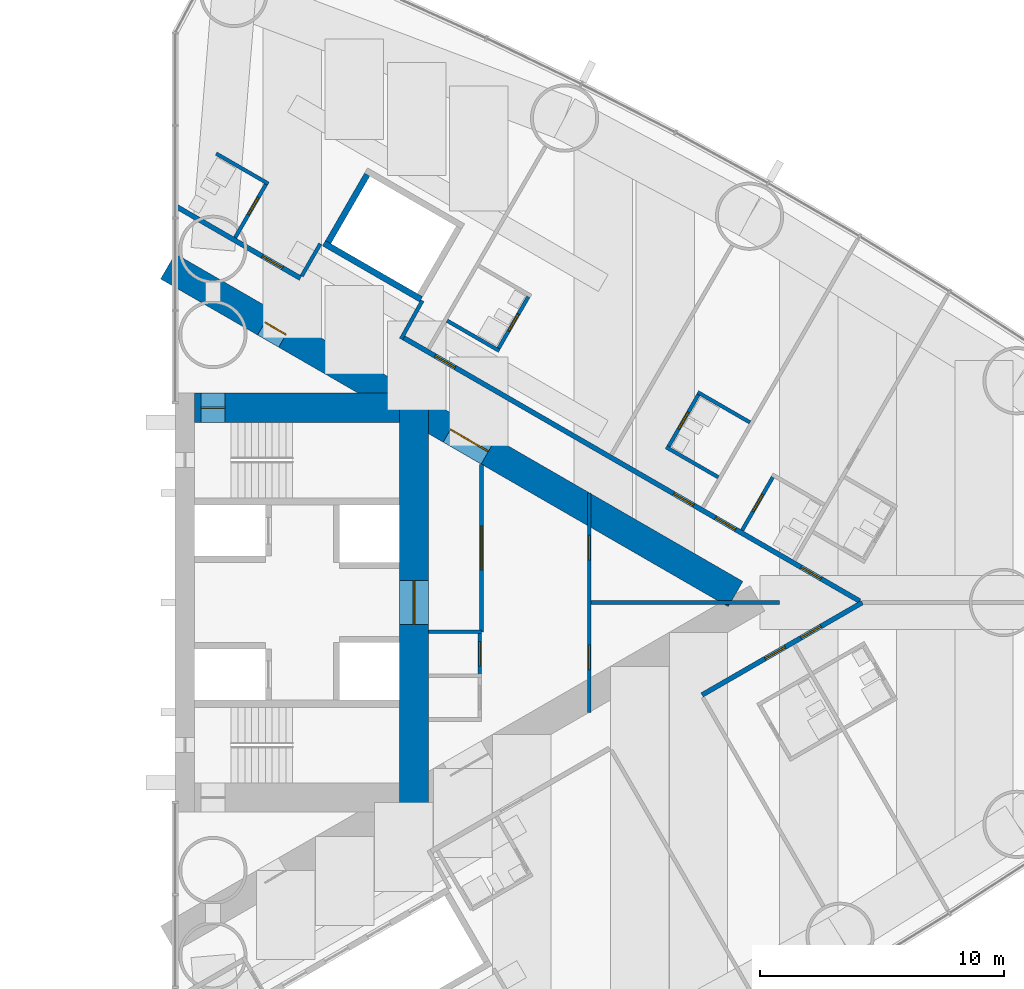
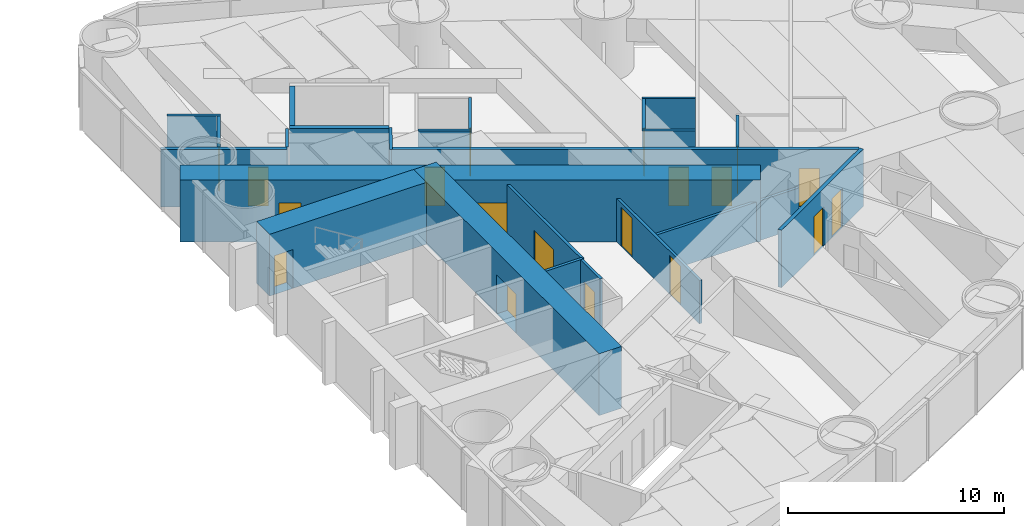
# One storey, part 15 of 19: 23 walls, 19 doors, 19 openings.
"""IFC4 building model written with IfcOpenShell, lengths in metres."""

from ifc_helpers import new_model, si_unit, direction, frame, frame_2d, origin, place, context, subcontext, project, spatial, rectangle, extrude, material, layer, layer_set, type_object, element, fill, save


model = new_model("IFC4")

# Units and contexts
model_context = context("Model", 3, precision=1e-05, world=origin(), true_north=direction((0.0, 1.0)))
body_context = subcontext(model_context, "Body", "Model", "MODEL_VIEW")
ifc_project = project(units=[si_unit("LENGTHUNIT", "METRE"), si_unit("AREAUNIT", "SQUARE_METRE"), si_unit("VOLUMEUNIT", "CUBIC_METRE"), si_unit("PLANEANGLEUNIT", "RADIAN"), si_unit("MASSUNIT", "GRAM", prefix="KILO")], contexts=[model_context])

# Site, building, storey
site_placement = place(None, origin())
site = spatial("IfcSite", under=ifc_project, at=site_placement, CompositionType="ELEMENT")
building_placement = place(site_placement, origin())
building = spatial("IfcBuilding", under=site, at=building_placement, Name="Lancet Gate Hotel", CompositionType="ELEMENT")
storey_placement = place(building_placement, frame((0.0, 0.0, 21.5)))
storey = spatial("IfcBuildingStorey", under=building, at=storey_placement, Name="L04", CompositionType="ELEMENT", Elevation=21.5)

# Wall, opening, door
ifc_material_1 = material(Name="Moisture resistant board partition")
ifc_layer_1 = layer(ifc_material_1, 0.14990234375)
ifc_layer_set_1 = layer_set([ifc_layer_1], Name="Bathroom wall 150")
wall_type_1 = type_object("IfcWallType", Name="Bathroom wall 150", PredefinedType="PARTITIONING", material=ifc_layer_set_1)
wall_1_placement = place(storey_placement, frame((50.771240234375, 2.96240234375, 0.0), z_axis=(0.0, 0.0, 1.0), x_axis=(0.500006934395, 0.866021400173, 0.0)))
wall_1 = element("IfcWall", 1, at=wall_1_placement, inside=storey, type_object=wall_type_1, Name="T2 bathroom wall 150 L04", PredefinedType="PARTITIONING", context=body_context, shape_type="SweptSolid", body=[
    extrude(rectangle(XDim=2.60009765625, YDim=0.14990234375, at=frame_2d((1.300048828125, 0.0))), origin(), (0.0, 0.0, 1.0), 3.25),
])
opening_1_placement = place(wall_1_placement, frame((0.89990234375, 0.0, 0.0)))
opening_1 = element("IfcOpeningElement", 2, at=opening_1_placement, cuts=wall_1, Name="Opening 0459-B", PredefinedType="OPENING", context=body_context, shape_type="SweptSolid", body=[
    extrude(rectangle(XDim=0.800048828125, YDim=2.199951171875, at=frame_2d((0.39990234375, 1.10009765625))), frame((0.0, 0.0849609375, 0.0), z_axis=(0.0, -1.0, 0.0), x_axis=(1.0, 0.0, 0.0)), (0.0, 0.0, 1.0), 0.169921875),
])
ifc_material_2 = material(Name="Timber door set", Category="wood")
door_type_1 = type_object("IfcDoorType", Name="Bathroom door 800", OperationType="SINGLE_SWING_RIGHT", PredefinedType="DOOR", material=ifc_material_2)
door_1_placement = place(opening_1_placement, origin())
door_1 = element("IfcDoor", 3, at=door_1_placement, inside=storey, type_object=door_type_1, Name="0459-B", OperationType="SINGLE_SWING_RIGHT", OverallHeight=2.199951171875, OverallWidth=0.800048828125, PredefinedType="DOOR", context=body_context, shape_type="SweptSolid", body=[
    extrude(rectangle(XDim=0.800048828125, YDim=2.199951171875, at=frame_2d((0.39990234375, 1.10009765625))), frame((0.0, 0.02490234375, 0.0), z_axis=(0.0, -1.0, 0.0), x_axis=(1.0, 0.0, 0.0)), (0.0, 0.0, 1.0), 0.050048828125),
])
fill(opening_1, door_1)

# Wall
wall_2_placement = place(storey_placement, frame((48.951171875, 8.632080078125, 0.0), z_axis=(0.0, 0.0, 1.0), x_axis=(0.866006523861, -0.500032699561, 0.0)))
element("IfcWall", 4, at=wall_2_placement, inside=storey, type_object=wall_type_1, Name="T2 bathroom wall 150 L04", PredefinedType="PARTITIONING", context=body_context, shape_type="SweptSolid", body=[
    extrude(rectangle(XDim=2.474853515625, YDim=0.14990234375, at=frame_2d((1.2373046875, 0.0))), origin(), (0.0, 0.0, 1.0), 3.25),
])

# Wall, opening, door
wall_3_placement = place(storey_placement, frame((47.716064453125, 6.3427734375, 0.0), z_axis=(0.0, 0.0, 1.0), x_axis=(0.500006934395, 0.866021400173, 0.0)))
wall_3 = element("IfcWall", 5, at=wall_3_placement, inside=storey, type_object=wall_type_1, Name="T2 bathroom wall 150 L04", PredefinedType="PARTITIONING", context=body_context, shape_type="SweptSolid", body=[
    extrude(rectangle(XDim=2.60009765625, YDim=0.14990234375, at=frame_2d((1.300048828125, 0.0))), origin(), (0.0, 0.0, 1.0), 3.25),
])
opening_2_placement = place(wall_3_placement, frame((0.89990234375, 0.0, 0.0)))
opening_2 = element("IfcOpeningElement", 6, at=opening_2_placement, cuts=wall_3, Name="Opening 0460-B", PredefinedType="OPENING", context=body_context, shape_type="SweptSolid", body=[
    extrude(rectangle(XDim=0.800048828125, YDim=2.199951171875, at=frame_2d((0.39990234375, 1.10009765625))), frame((0.0, 0.0849609375, 0.0), z_axis=(0.0, -1.0, 0.0), x_axis=(1.0, 0.0, 0.0)), (0.0, 0.0, 1.0), 0.169921875),
])
door_2_placement = place(opening_2_placement, origin())
door_2 = element("IfcDoor", 7, at=door_2_placement, inside=storey, type_object=door_type_1, Name="0460-B", OperationType="SINGLE_SWING_RIGHT", OverallHeight=2.199951171875, OverallWidth=0.800048828125, PredefinedType="DOOR", context=body_context, shape_type="SweptSolid", body=[
    extrude(rectangle(XDim=0.800048828125, YDim=2.199951171875, at=frame_2d((0.39990234375, 1.10009765625))), frame((0.0, 0.02490234375, 0.0), z_axis=(0.0, -1.0, 0.0), x_axis=(1.0, 0.0, 0.0)), (0.0, 0.0, 1.0), 0.050048828125),
])
fill(opening_2, door_2)

# Wall
wall_4_placement = place(storey_placement, frame((47.651123046875, 6.38037109375, 0.0), z_axis=(0.0, 0.0, 1.0), x_axis=(0.866031185235, -0.4999899861, 0.0)))
element("IfcWall", 8, at=wall_4_placement, inside=storey, type_object=wall_type_1, Name="T2 bathroom wall 150 L04", PredefinedType="PARTITIONING", context=body_context, shape_type="SweptSolid", body=[
    extrude(rectangle(XDim=2.47509765625, YDim=0.14990234375, at=frame_2d((1.237548828125, 0.0))), origin(), (0.0, 0.0, 1.0), 3.25),
])

# Wall, opening, door
wall_5_placement = place(storey_placement, frame((40.738525390625, 10.371337890625, 0.0), z_axis=(0.0, 0.0, 1.0), x_axis=(0.500006934395, 0.866021400173, 0.0)))
wall_5 = element("IfcWall", 9, at=wall_5_placement, inside=storey, type_object=wall_type_1, Name="T2 bathroom wall 150 L04", PredefinedType="PARTITIONING", context=body_context, shape_type="SweptSolid", body=[
    extrude(rectangle(XDim=2.60009765625, YDim=0.14990234375, at=frame_2d((1.300048828125, 0.0))), origin(), (0.0, 0.0, 1.0), 3.25),
])
opening_3_placement = place(wall_5_placement, frame((0.89990234375, 0.0, 0.0)))
opening_3 = element("IfcOpeningElement", 10, at=opening_3_placement, cuts=wall_5, Name="Opening 0461-B", PredefinedType="OPENING", context=body_context, shape_type="SweptSolid", body=[
    extrude(rectangle(XDim=0.800048828125, YDim=2.199951171875, at=frame_2d((0.39990234375, 1.10009765625))), frame((0.0, 0.0849609375, 0.0), z_axis=(0.0, -1.0, 0.0), x_axis=(1.0, 0.0, 0.0)), (0.0, 0.0, 1.0), 0.169921875),
])
door_3_placement = place(opening_3_placement, origin())
door_3 = element("IfcDoor", 11, at=door_3_placement, inside=storey, type_object=door_type_1, Name="0461-B", OperationType="SINGLE_SWING_RIGHT", OverallHeight=2.199951171875, OverallWidth=0.800048828125, PredefinedType="DOOR", context=body_context, shape_type="SweptSolid", body=[
    extrude(rectangle(XDim=0.800048828125, YDim=2.199951171875, at=frame_2d((0.39990234375, 1.10009765625))), frame((0.0, 0.02490234375, 0.0), z_axis=(0.0, -1.0, 0.0), x_axis=(1.0, 0.0, 0.0)), (0.0, 0.0, 1.0), 0.050048828125),
])
fill(opening_3, door_3)

# Walls
for number, where, z_axis, x_axis, name in (
    (12, (38.66015625, 11.5712890625, 0.0), (0.0, 0.0, 1.0), (0.866006523861, -0.500032699561, 0.0), "T2 bathroom wall 150 L04"),
    (13, (29.181884765625, 18.42919921875, 0.0), (0.0, 0.0, 1.0), (0.866006523861, -0.500032699561, 0.0), "T2 bathroom wall 150 L04"),
):
    element("IfcWall", number, at=place(storey_placement, frame(where, z_axis=z_axis, x_axis=x_axis)), inside=storey, type_object=wall_type_1, Name=name, PredefinedType="PARTITIONING", context=body_context, shape_type="SweptSolid", body=[
        extrude(rectangle(XDim=2.474853515625, YDim=0.14990234375, at=frame_2d((1.2373046875, 0.0))), origin(), (0.0, 0.0, 1.0), 3.25),
    ])

# Wall, opening, door
wall_6_placement = place(storey_placement, frame((29.960205078125, 14.9775390625, 0.0), z_axis=(0.0, 0.0, 1.0), x_axis=(0.500006934395, 0.866021400173, 0.0)))
wall_6 = element("IfcWall", 14, at=wall_6_placement, inside=storey, type_object=wall_type_1, Name="T2 bathroom wall 150 L04", PredefinedType="PARTITIONING", context=body_context, shape_type="SweptSolid", body=[
    extrude(rectangle(XDim=2.60009765625, YDim=0.14990234375, at=frame_2d((1.300048828125, 0.0))), origin(), (0.0, 0.0, 1.0), 3.25),
])
opening_4_placement = place(wall_6_placement, frame((1.10009765625, 0.0, 0.0)))
opening_4 = element("IfcOpeningElement", 15, at=opening_4_placement, cuts=wall_6, Name="Opening 0463-B", PredefinedType="OPENING", context=body_context, shape_type="SweptSolid", body=[
    extrude(rectangle(XDim=0.800048828125, YDim=2.199951171875, at=frame_2d((0.39990234375, 1.10009765625))), frame((0.0, 0.0849609375, 0.0), z_axis=(0.0, -1.0, 0.0), x_axis=(1.0, 0.0, 0.0)), (0.0, 0.0, 1.0), 0.169921875),
])
door_4_placement = place(opening_4_placement, origin())
door_4 = element("IfcDoor", 16, at=door_4_placement, inside=storey, type_object=door_type_1, Name="0463-B", OperationType="SINGLE_SWING_RIGHT", OverallHeight=2.199951171875, OverallWidth=0.800048828125, PredefinedType="DOOR", context=body_context, shape_type="SweptSolid", body=[
    extrude(rectangle(XDim=0.800048828125, YDim=2.199951171875, at=frame_2d((0.39990234375, 1.10009765625))), frame((0.0, 0.02490234375, 0.0), z_axis=(0.0, -1.0, 0.0), x_axis=(1.0, 0.0, 0.0)), (0.0, 0.0, 1.0), 0.050048828125),
])
fill(opening_4, door_4)

# Wall, openings, doors
ifc_material_3 = material(Name="Concrete C70/85", Category="concrete")
ifc_layer_2 = layer(ifc_material_3, 1.199951171875)
ifc_layer_set_2 = layer_set([ifc_layer_2], Name="Buttress wall 1200")
wall_type_2 = type_object("IfcWallType", Name="Buttress wall 1200", PredefinedType="SHEAR", material=ifc_layer_set_2)
wall_7_placement = place(storey_placement, frame((27.199951171875, 13.800048828125, 0.0), z_axis=(0.0, 0.0, 1.0), x_axis=(0.866024515034, -0.500001539357, 0.0)))
wall_7 = element("IfcWall", 17, at=wall_7_placement, inside=storey, type_object=wall_type_2, Name="T2 buttress wall N L04", PredefinedType="SHEAR", context=body_context, shape_type="SweptSolid", body=[
    extrude(rectangle(XDim=26.9072265625, YDim=1.199951171875, at=frame_2d((13.45361328125, 0.0))), origin(), (0.0, 0.0, 1.0), 3.5),
])
opening_5_placement = place(wall_7_placement, frame((4.60009765625, 0.0, 0.0)))
opening_5 = element("IfcOpeningElement", 18, at=opening_5_placement, cuts=wall_7, Name="Opening T2-L04-LN", PredefinedType="OPENING", context=body_context, shape_type="SweptSolid", body=[
    extrude(rectangle(XDim=1.0, YDim=2.199951171875, at=frame_2d((0.5, 1.10009765625))), frame((0.0, 0.60986328125, 0.0), z_axis=(0.0, -1.0, 0.0), x_axis=(1.0, 0.0, 0.0)), (0.0, 0.0, 1.0), 1.219970703125),
])
opening_6_placement = place(wall_7_placement, frame((13.39453125, 0.0, 0.0)))
opening_6 = element("IfcOpeningElement", 19, at=opening_6_placement, cuts=wall_7, Name="Opening T2-L04-LHN", PredefinedType="OPENING", context=body_context, shape_type="SweptSolid", body=[
    extrude(rectangle(XDim=1.800048828125, YDim=2.199951171875, at=frame_2d((0.89990234375, 1.10009765625))), frame((0.0, 0.60986328125, 0.0), z_axis=(0.0, -1.0, 0.0), x_axis=(1.0, 0.0, 0.0)), (0.0, 0.0, 1.0), 1.219970703125),
])
ifc_material_4 = material(Name="Timber door set", Category="wood")
door_type_2 = type_object("IfcDoorType", Name="Lobby double door 1800", OperationType="DOUBLE_DOOR_SINGLE_SWING", PredefinedType="DOOR", material=ifc_material_4)
door_5_placement = place(opening_6_placement, origin())
door_5 = element("IfcDoor", 20, at=door_5_placement, inside=storey, type_object=door_type_2, Name="T2-L04-LHN", OperationType="DOUBLE_DOOR_SINGLE_SWING", OverallHeight=2.199951171875, OverallWidth=1.800048828125, PredefinedType="DOOR", context=body_context, shape_type="SweptSolid", body=[
    extrude(rectangle(XDim=1.800048828125, YDim=2.199951171875, at=frame_2d((0.89990234375, 1.10009765625))), frame((0.0, 0.02490234375, 0.0), z_axis=(0.0, -1.0, 0.0), x_axis=(1.0, 0.0, 0.0)), (0.0, 0.0, 1.0), 0.050048828125),
])
fill(opening_6, door_5)
ifc_material_5 = material(Name="Timber door set", Category="wood")
door_type_3 = type_object("IfcDoorType", Name="Stair lobby door 1000", OperationType="SINGLE_SWING_LEFT", PredefinedType="DOOR", material=ifc_material_5)
door_6_placement = place(opening_5_placement, origin())
door_6 = element("IfcDoor", 21, at=door_6_placement, inside=storey, type_object=door_type_3, Name="T2-L04-LN", OperationType="SINGLE_SWING_LEFT", OverallHeight=2.199951171875, OverallWidth=1.0, PredefinedType="DOOR", context=body_context, shape_type="SweptSolid", body=[
    extrude(rectangle(XDim=1.0, YDim=2.199951171875, at=frame_2d((0.5, 1.10009765625))), frame((0.0, 0.02490234375, 0.0), z_axis=(0.0, -1.0, 0.0), x_axis=(1.0, 0.0, 0.0)), (0.0, 0.0, 1.0), 0.050048828125),
])
fill(opening_5, door_6)

# Wall, opening, door
ifc_material_6 = material(Name="Concrete C70/85", Category="concrete")
ifc_layer_3 = layer(ifc_material_6, 1.199951171875)
ifc_layer_set_3 = layer_set([ifc_layer_3], Name="Core wall 1200")
wall_type_3 = type_object("IfcWallType", Name="Core wall 1200", PredefinedType="SHEAR", material=ifc_layer_set_3)
wall_8_placement = place(storey_placement, frame((37.300048828125, -8.60009765625, 0.0), z_axis=(0.0, 0.0, 1.0), x_axis=(0.0, 1.0, 0.0)))
wall_8 = element("IfcWall", 22, at=wall_8_placement, inside=storey, type_object=wall_type_3, Name="T2 core wall back L04", PredefinedType="SHEAR", context=body_context, shape_type="SweptSolid", body=[
    extrude(rectangle(XDim=17.2001953125, YDim=1.199951171875, at=frame_2d((8.60009765625, 0.0))), origin(), (0.0, 0.0, 1.0), 3.5),
])
opening_7_placement = place(wall_8_placement, frame((7.699951171875, 0.0, 0.0)))
opening_7 = element("IfcOpeningElement", 23, at=opening_7_placement, cuts=wall_8, Name="Opening T2-L04-LL", PredefinedType="OPENING", context=body_context, shape_type="SweptSolid", body=[
    extrude(rectangle(XDim=1.800048828125, YDim=2.199951171875, at=frame_2d((0.89990234375, 1.10009765625))), frame((0.0, 0.60986328125, 0.0), z_axis=(0.0, -1.0, 0.0), x_axis=(1.0, 0.0, 0.0)), (0.0, 0.0, 1.0), 1.219970703125),
])
door_7_placement = place(opening_7_placement, origin())
door_7 = element("IfcDoor", 24, at=door_7_placement, inside=storey, type_object=door_type_2, Name="T2-L04-LL", OperationType="DOUBLE_DOOR_SINGLE_SWING", OverallHeight=2.199951171875, OverallWidth=1.800048828125, PredefinedType="DOOR", context=body_context, shape_type="SweptSolid", body=[
    extrude(rectangle(XDim=1.800048828125, YDim=2.199951171875, at=frame_2d((0.89990234375, 1.10009765625))), frame((0.0, 0.02490234375, 0.0), z_axis=(0.0, -1.0, 0.0), x_axis=(1.0, 0.0, 0.0)), (0.0, 0.0, 1.0), 0.050048828125),
])
fill(opening_7, door_7)

wall_9_placement = place(storey_placement, frame((28.300048828125, 8.0, 0.0), z_axis=(0.0, 0.0, 1.0), x_axis=(1.0, 0.0, 0.0)))
wall_9 = element("IfcWall", 25, at=wall_9_placement, inside=storey, type_object=wall_type_3, Name="T2 core wall side-N L04", PredefinedType="SHEAR", context=body_context, shape_type="SweptSolid", body=[
    extrude(rectangle(XDim=8.39990234375, YDim=1.199951171875, at=frame_2d((4.199951171875, 0.0))), origin(), (0.0, 0.0, 1.0), 3.5),
])
opening_8_placement = place(wall_9_placement, frame((0.25, 0.0, 0.0)))
opening_8 = element("IfcOpeningElement", 26, at=opening_8_placement, cuts=wall_9, Name="Opening T2-L04-ST2", PredefinedType="OPENING", context=body_context, shape_type="SweptSolid", body=[
    extrude(rectangle(XDim=1.0, YDim=2.199951171875, at=frame_2d((0.5, 1.10009765625))), frame((0.0, 0.60986328125, 0.0), z_axis=(0.0, -1.0, 0.0), x_axis=(1.0, 0.0, 0.0)), (0.0, 0.0, 1.0), 1.219970703125),
])
ifc_material_7 = material(Name="Timber door set", Category="wood")
door_type_4 = type_object("IfcDoorType", Name="Stair door 1000", OperationType="SINGLE_SWING_RIGHT", PredefinedType="DOOR", material=ifc_material_7)
door_8_placement = place(opening_8_placement, origin())
door_8 = element("IfcDoor", 27, at=door_8_placement, inside=storey, type_object=door_type_4, Name="T2-L04-ST2", OperationType="SINGLE_SWING_RIGHT", OverallHeight=2.199951171875, OverallWidth=1.0, PredefinedType="DOOR", context=body_context, shape_type="SweptSolid", body=[
    extrude(rectangle(XDim=1.0, YDim=2.199951171875, at=frame_2d((0.5, 1.10009765625))), frame((0.0, 0.02490234375, 0.0), z_axis=(0.0, -1.0, 0.0), x_axis=(1.0, 0.0, 0.0)), (0.0, 0.0, 1.0), 0.050048828125),
])
fill(opening_8, door_8)

ifc_material_8 = material(Name="Gypsum board partition")
ifc_layer_4 = layer(ifc_material_8, 0.199951171875)
ifc_layer_set_4 = layer_set([ifc_layer_4], Name="Corridor wall 200")
wall_type_4 = type_object("IfcWallType", Name="Corridor wall 200", PredefinedType="PARTITIONING", material=ifc_layer_set_4)
wall_10_placement = place(storey_placement, frame((27.572021484375, 16.240966796875, 0.0), z_axis=(0.0, 0.0, 1.0), x_axis=(0.866032814021, -0.499987164874, 0.0)))
wall_10 = element("IfcWall", 28, at=wall_10_placement, inside=storey, type_object=wall_type_4, Name="T2 corridor wall 200 L04", PredefinedType="PARTITIONING", context=body_context, shape_type="SweptSolid", body=[
    extrude(rectangle(XDim=5.854736328125, YDim=0.199951171875, at=frame_2d((2.92724609375, 0.0))), origin(), (0.0, 0.0, 1.0), 3.25),
])
opening_9_placement = place(wall_10_placement, frame((4.050048828125, 0.0, 0.0)))
opening_9 = element("IfcOpeningElement", 29, at=opening_9_placement, cuts=wall_10, Name="Opening 0463-E", PredefinedType="OPENING", context=body_context, shape_type="SweptSolid", body=[
    extrude(rectangle(XDim=0.949951171875, YDim=2.199951171875, at=frame_2d((0.47509765625, 1.10009765625))), frame((0.0, 0.10986328125, 0.0), z_axis=(0.0, -1.0, 0.0), x_axis=(1.0, 0.0, 0.0)), (0.0, 0.0, 1.0), 0.219970703125),
])
ifc_material_9 = material(Name="Timber door set", Category="wood")
door_type_5 = type_object("IfcDoorType", Name="Guest room entry door 950", OperationType="SINGLE_SWING_LEFT", PredefinedType="DOOR", material=ifc_material_9)
door_9_placement = place(opening_9_placement, origin())
door_9 = element("IfcDoor", 30, at=door_9_placement, inside=storey, type_object=door_type_5, Name="0463-E", OperationType="SINGLE_SWING_LEFT", OverallHeight=2.199951171875, OverallWidth=0.949951171875, PredefinedType="DOOR", context=body_context, shape_type="SweptSolid", body=[
    extrude(rectangle(XDim=0.949951171875, YDim=2.199951171875, at=frame_2d((0.47509765625, 1.10009765625))), frame((0.0, 0.02490234375, 0.0), z_axis=(0.0, -1.0, 0.0), x_axis=(1.0, 0.0, 0.0)), (0.0, 0.0, 1.0), 0.050048828125),
])
fill(opening_9, door_9)

# Wall, openings, doors
wall_11_placement = place(storey_placement, frame((36.833984375, 10.8935546875, 0.0), z_axis=(0.0, 0.0, 1.0), x_axis=(0.866028157229, -0.499995230863, 0.0)))
wall_11 = element("IfcWall", 31, at=wall_11_placement, inside=storey, type_object=wall_type_4, Name="T2 corridor wall 200 L04", PredefinedType="PARTITIONING", context=body_context, shape_type="SweptSolid", body=[
    extrude(rectangle(XDim=21.667236328125, YDim=0.199951171875, at=frame_2d((10.83349609375, 0.0))), origin(), (0.0, 0.0, 1.0), 3.25),
])
opening_10_placement = place(wall_11_placement, frame((18.885498046875, 0.0, 0.0)))
opening_10 = element("IfcOpeningElement", 32, at=opening_10_placement, cuts=wall_11, Name="Opening 0458-E", PredefinedType="OPENING", context=body_context, shape_type="SweptSolid", body=[
    extrude(rectangle(XDim=0.949951171875, YDim=2.199951171875, at=frame_2d((0.47509765625, 1.10009765625))), frame((0.0, 0.10986328125, 0.0), z_axis=(0.0, -1.0, 0.0), x_axis=(1.0, 0.0, 0.0)), (0.0, 0.0, 1.0), 0.219970703125),
])
opening_11_placement = place(wall_11_placement, frame((14.83544921875, 0.0, 0.0)))
opening_11 = element("IfcOpeningElement", 33, at=opening_11_placement, cuts=wall_11, Name="Opening 0459-E", PredefinedType="OPENING", context=body_context, shape_type="SweptSolid", body=[
    extrude(rectangle(XDim=0.949951171875, YDim=2.199951171875, at=frame_2d((0.47509765625, 1.10009765625))), frame((0.0, 0.10986328125, 0.0), z_axis=(0.0, -1.0, 0.0), x_axis=(1.0, 0.0, 0.0)), (0.0, 0.0, 1.0), 0.219970703125),
])
opening_12_placement = place(wall_11_placement, frame((12.849609375, 0.0, 0.0)))
opening_12 = element("IfcOpeningElement", 34, at=opening_12_placement, cuts=wall_11, Name="Opening 0460-E", PredefinedType="OPENING", context=body_context, shape_type="SweptSolid", body=[
    extrude(rectangle(XDim=0.949951171875, YDim=2.199951171875, at=frame_2d((0.47509765625, 1.10009765625))), frame((0.0, 0.10986328125, 0.0), z_axis=(0.0, -1.0, 0.0), x_axis=(1.0, 0.0, 0.0)), (0.0, 0.0, 1.0), 0.219970703125),
])
opening_13_placement = place(wall_11_placement, frame((1.54248046875, 0.0, 0.0)))
opening_13 = element("IfcOpeningElement", 35, at=opening_13_placement, cuts=wall_11, Name="Opening 0461-E", PredefinedType="OPENING", context=body_context, shape_type="SweptSolid", body=[
    extrude(rectangle(XDim=0.949951171875, YDim=2.199951171875, at=frame_2d((0.47509765625, 1.10009765625))), frame((0.0, 0.10986328125, 0.0), z_axis=(0.0, -1.0, 0.0), x_axis=(1.0, 0.0, 0.0)), (0.0, 0.0, 1.0), 0.219970703125),
])
door_10_placement = place(opening_10_placement, origin())
door_10 = element("IfcDoor", 36, at=door_10_placement, inside=storey, type_object=door_type_5, Name="0458-E", OperationType="SINGLE_SWING_LEFT", OverallHeight=2.199951171875, OverallWidth=0.949951171875, PredefinedType="DOOR", context=body_context, shape_type="SweptSolid", body=[
    extrude(rectangle(XDim=0.949951171875, YDim=2.199951171875, at=frame_2d((0.47509765625, 1.10009765625))), frame((0.0, 0.02490234375, 0.0), z_axis=(0.0, -1.0, 0.0), x_axis=(1.0, 0.0, 0.0)), (0.0, 0.0, 1.0), 0.050048828125),
])
fill(opening_10, door_10)
door_11_placement = place(opening_11_placement, origin())
door_11 = element("IfcDoor", 37, at=door_11_placement, inside=storey, type_object=door_type_5, Name="0459-E", OperationType="SINGLE_SWING_LEFT", OverallHeight=2.199951171875, OverallWidth=0.949951171875, PredefinedType="DOOR", context=body_context, shape_type="SweptSolid", body=[
    extrude(rectangle(XDim=0.949951171875, YDim=2.199951171875, at=frame_2d((0.47509765625, 1.10009765625))), frame((0.0, 0.02490234375, 0.0), z_axis=(0.0, -1.0, 0.0), x_axis=(1.0, 0.0, 0.0)), (0.0, 0.0, 1.0), 0.050048828125),
])
fill(opening_11, door_11)
door_12_placement = place(opening_12_placement, origin())
door_12 = element("IfcDoor", 38, at=door_12_placement, inside=storey, type_object=door_type_5, Name="0460-E", OperationType="SINGLE_SWING_LEFT", OverallHeight=2.199951171875, OverallWidth=0.949951171875, PredefinedType="DOOR", context=body_context, shape_type="SweptSolid", body=[
    extrude(rectangle(XDim=0.949951171875, YDim=2.199951171875, at=frame_2d((0.47509765625, 1.10009765625))), frame((0.0, 0.02490234375, 0.0), z_axis=(0.0, -1.0, 0.0), x_axis=(1.0, 0.0, 0.0)), (0.0, 0.0, 1.0), 0.050048828125),
])
fill(opening_12, door_12)
door_13_placement = place(opening_13_placement, origin())
door_13 = element("IfcDoor", 39, at=door_13_placement, inside=storey, type_object=door_type_5, Name="0461-E", OperationType="SINGLE_SWING_LEFT", OverallHeight=2.199951171875, OverallWidth=0.949951171875, PredefinedType="DOOR", context=body_context, shape_type="SweptSolid", body=[
    extrude(rectangle(XDim=0.949951171875, YDim=2.199951171875, at=frame_2d((0.47509765625, 1.10009765625))), frame((0.0, 0.02490234375, 0.0), z_axis=(0.0, -1.0, 0.0), x_axis=(1.0, 0.0, 0.0)), (0.0, 0.0, 1.0), 0.050048828125),
])
fill(opening_13, door_13)

wall_12_placement = place(storey_placement, frame((49.131103515625, -3.793701171875, 0.0), z_axis=(0.0, 0.0, 1.0), x_axis=(0.866030732979, 0.499990769451, 0.0)))
wall_12 = element("IfcWall", 40, at=wall_12_placement, inside=storey, type_object=wall_type_4, Name="T2 corridor wall 200 L04", PredefinedType="PARTITIONING", context=body_context, shape_type="SweptSolid", body=[
    extrude(rectangle(XDim=7.587646484375, YDim=0.199951171875, at=frame_2d((3.7939453125, 0.0))), origin(), (0.0, 0.0, 1.0), 3.25),
])
opening_14_placement = place(wall_12_placement, frame((2.986083984375, 0.0, 0.0)))
opening_14 = element("IfcOpeningElement", 41, at=opening_14_placement, cuts=wall_12, Name="Opening 0456-E", PredefinedType="OPENING", context=body_context, shape_type="SweptSolid", body=[
    extrude(rectangle(XDim=0.949951171875, YDim=2.199951171875, at=frame_2d((0.47509765625, 1.10009765625))), frame((0.0, 0.10986328125, 0.0), z_axis=(0.0, -1.0, 0.0), x_axis=(1.0, 0.0, 0.0)), (0.0, 0.0, 1.0), 0.219970703125),
])
opening_15_placement = place(wall_12_placement, frame((4.68603515625, 0.0, 0.0)))
opening_15 = element("IfcOpeningElement", 42, at=opening_15_placement, cuts=wall_12, Name="Opening 0457-E", PredefinedType="OPENING", context=body_context, shape_type="SweptSolid", body=[
    extrude(rectangle(XDim=0.949951171875, YDim=2.199951171875, at=frame_2d((0.47509765625, 1.10009765625))), frame((0.0, 0.10986328125, 0.0), z_axis=(0.0, -1.0, 0.0), x_axis=(1.0, 0.0, 0.0)), (0.0, 0.0, 1.0), 0.219970703125),
])
door_14_placement = place(opening_14_placement, origin())
door_14 = element("IfcDoor", 43, at=door_14_placement, inside=storey, type_object=door_type_5, Name="0456-E", OperationType="SINGLE_SWING_LEFT", OverallHeight=2.199951171875, OverallWidth=0.949951171875, PredefinedType="DOOR", context=body_context, shape_type="SweptSolid", body=[
    extrude(rectangle(XDim=0.949951171875, YDim=2.199951171875, at=frame_2d((0.47509765625, 1.10009765625))), frame((0.0, 0.02490234375, 0.0), z_axis=(0.0, -1.0, 0.0), x_axis=(1.0, 0.0, 0.0)), (0.0, 0.0, 1.0), 0.050048828125),
])
fill(opening_14, door_14)
door_15_placement = place(opening_15_placement, origin())
door_15 = element("IfcDoor", 44, at=door_15_placement, inside=storey, type_object=door_type_5, Name="0457-E", OperationType="SINGLE_SWING_LEFT", OverallHeight=2.199951171875, OverallWidth=0.949951171875, PredefinedType="DOOR", context=body_context, shape_type="SweptSolid", body=[
    extrude(rectangle(XDim=0.949951171875, YDim=2.199951171875, at=frame_2d((0.47509765625, 1.10009765625))), frame((0.0, 0.02490234375, 0.0), z_axis=(0.0, -1.0, 0.0), x_axis=(1.0, 0.0, 0.0)), (0.0, 0.0, 1.0), 0.050048828125),
])
fill(opening_15, door_15)

# Walls
ifc_material_10 = material(Name="Gypsum board partition")
ifc_layer_5 = layer(ifc_material_10, 0.25)
ifc_layer_set_5 = layer_set([ifc_layer_5], Name="Lift shaft partition 250")
wall_type_5 = type_object("IfcWallType", Name="Lift shaft partition 250", PredefinedType="PARTITIONING", material=ifc_layer_set_5)
wall_13_placement = place(storey_placement, frame((33.6083984375, 14.747314453125, 0.0), z_axis=(0.0, 0.0, 1.0), x_axis=(0.866043305498, -0.49996899204, 0.0)))
element("IfcWall", 45, at=wall_13_placement, inside=storey, type_object=wall_type_5, Name="T2 lift shaft wall EX L04", PredefinedType="PARTITIONING", context=body_context, shape_type="SweptSolid", body=[
    extrude(rectangle(XDim=4.600341796875, YDim=0.25, at=frame_2d((2.30029296875, 0.0))), origin(), (0.0, 0.0, 1.0), 3.25),
])
wall_14_placement = place(storey_placement, frame((33.779296875, 14.79296875, 0.0), z_axis=(0.0, 0.0, 1.0), x_axis=(0.499929347863, 0.866066190972, 0.0)))
element("IfcWall", 46, at=wall_14_placement, inside=storey, type_object=wall_type_5, Name="T2 lift shaft wall EX L04", PredefinedType="PARTITIONING", context=body_context, shape_type="SweptSolid", body=[
    extrude(rectangle(XDim=3.20068359375, YDim=0.25, at=frame_2d((1.600341796875, 0.0))), origin(), (0.0, 0.0, 1.0), 3.25),
])
ifc_material_11 = material(Name="Gypsum board partition")
ifc_layer_6 = layer(ifc_material_11, 0.14990234375)
ifc_layer_set_6 = layer_set([ifc_layer_6], Name="Service room wall 150")
wall_type_6 = type_object("IfcWallType", Name="Service room wall 150", PredefinedType="PARTITIONING", material=ifc_layer_set_6)
wall_15_placement = place(storey_placement, frame((36.77099609375, 10.814453125, 0.0), z_axis=(0.0, 0.0, 1.0), x_axis=(0.485585508183, 0.874189175317, 0.0)))
element("IfcWall", 47, at=wall_15_placement, inside=storey, type_object=wall_type_6, Name="T2 service room wall 150 L04", PredefinedType="PARTITIONING", context=body_context, shape_type="SweptSolid", body=[
    extrude(rectangle(XDim=1.804931640625, YDim=0.14990234375, at=frame_2d((0.90234375, 0.0))), origin(), (0.0, 0.0, 1.0), 3.25),
])
wall_16_placement = place(storey_placement, frame((32.6923828125, 13.400390625, 0.0), z_axis=(0.0, 0.0, 1.0), x_axis=(0.499985008713, 0.866034058835, 0.0)))
element("IfcWall", 48, at=wall_16_placement, inside=storey, type_object=wall_type_6, Name="T2 service room wall 150 L04", PredefinedType="PARTITIONING", context=body_context, shape_type="SweptSolid", body=[
    extrude(rectangle(XDim=1.529296875, YDim=0.14990234375, at=frame_2d((0.7646484375, 0.0))), origin(), (0.0, 0.0, 1.0), 3.25),
])
wall_17_placement = place(storey_placement, frame((37.89990234375, -1.199951171875, 0.0), z_axis=(0.0, 0.0, 1.0), x_axis=(1.0, 0.0, 0.0)))
element("IfcWall", 49, at=wall_17_placement, inside=storey, type_object=wall_type_6, Name="T2 service room wall 150 L04", PredefinedType="PARTITIONING", context=body_context, shape_type="SweptSolid", body=[
    extrude(rectangle(XDim=2.175048828125, YDim=0.14990234375, at=frame_2d((1.08740234375, 0.0))), origin(), (0.0, 0.0, 1.0), 3.25),
])

# Wall, opening, door
wall_18_placement = place(storey_placement, frame((40.0, -3.074951171875, 0.0), z_axis=(0.0, 0.0, 1.0), x_axis=(0.0, 1.0, 0.0)))
wall_18 = element("IfcWall", 50, at=wall_18_placement, inside=storey, type_object=wall_type_6, Name="T2 service room wall 150 L04", PredefinedType="PARTITIONING", context=body_context, shape_type="SweptSolid", body=[
    extrude(rectangle(XDim=1.949951171875, YDim=0.14990234375, at=frame_2d((0.97509765625, 0.0))), origin(), (0.0, 0.0, 1.0), 3.25),
])
opening_16_placement = place(wall_18_placement, frame((0.47509765625, 0.0, 0.0)))
opening_16 = element("IfcOpeningElement", 51, at=opening_16_placement, cuts=wall_18, Name="Opening T2-L04-HRS0", PredefinedType="OPENING", context=body_context, shape_type="SweptSolid", body=[
    extrude(rectangle(XDim=1.0, YDim=2.199951171875, at=frame_2d((0.5, 1.10009765625))), frame((0.0, 0.0849609375, 0.0), z_axis=(0.0, -1.0, 0.0), x_axis=(1.0, 0.0, 0.0)), (0.0, 0.0, 1.0), 0.169921875),
])
ifc_material_12 = material(Name="Timber door set", Category="wood")
door_type_6 = type_object("IfcDoorType", Name="Service door 1000", OperationType="SINGLE_SWING_LEFT", PredefinedType="DOOR", material=ifc_material_12)
door_16_placement = place(opening_16_placement, origin())
door_16 = element("IfcDoor", 52, at=door_16_placement, inside=storey, type_object=door_type_6, Name="T2-L04-HRS0", OperationType="SINGLE_SWING_LEFT", OverallHeight=2.199951171875, OverallWidth=1.0, PredefinedType="DOOR", context=body_context, shape_type="SweptSolid", body=[
    extrude(rectangle(XDim=1.0, YDim=2.199951171875, at=frame_2d((0.5, 1.10009765625))), frame((0.0, 0.02490234375, 0.0), z_axis=(0.0, -1.0, 0.0), x_axis=(1.0, 0.0, 0.0)), (0.0, 0.0, 1.0), 0.050048828125),
])
fill(opening_16, door_16)

wall_19_placement = place(storey_placement, frame((40.074951171875, -1.199951171875, 0.0), z_axis=(0.0, 0.0, 1.0), x_axis=(0.0, 1.0, 0.0)))
wall_19 = element("IfcWall", 53, at=wall_19_placement, inside=storey, type_object=wall_type_6, Name="T2 service room wall 150 L04", PredefinedType="PARTITIONING", context=body_context, shape_type="SweptSolid", body=[
    extrude(rectangle(XDim=6.873779296875, YDim=0.14990234375, at=frame_2d((3.43701171875, 0.0))), origin(), (0.0, 0.0, 1.0), 3.25),
])
opening_17_placement = place(wall_19_placement, frame((2.536865234375, 0.0, 0.0)))
opening_17 = element("IfcOpeningElement", 54, at=opening_17_placement, cuts=wall_19, Name="Opening T2-L04-LH", PredefinedType="OPENING", context=body_context, shape_type="SweptSolid", body=[
    extrude(rectangle(XDim=1.800048828125, YDim=2.199951171875, at=frame_2d((0.89990234375, 1.10009765625))), frame((0.0, 0.0849609375, 0.0), z_axis=(0.0, -1.0, 0.0), x_axis=(1.0, 0.0, 0.0)), (0.0, 0.0, 1.0), 0.169921875),
])
door_17_placement = place(opening_17_placement, origin())
door_17 = element("IfcDoor", 55, at=door_17_placement, inside=storey, type_object=door_type_2, Name="T2-L04-LH", OperationType="DOUBLE_DOOR_SINGLE_SWING", OverallHeight=2.199951171875, OverallWidth=1.800048828125, PredefinedType="DOOR", context=body_context, shape_type="SweptSolid", body=[
    extrude(rectangle(XDim=1.800048828125, YDim=2.199951171875, at=frame_2d((0.89990234375, 1.10009765625))), frame((0.0, 0.02490234375, 0.0), z_axis=(0.0, -1.0, 0.0), x_axis=(1.0, 0.0, 0.0)), (0.0, 0.0, 1.0), 0.050048828125),
])
fill(opening_17, door_17)

# Wall, openings, doors
wall_20_placement = place(storey_placement, frame((44.5, -4.504638671875, 0.0), z_axis=(0.0, 0.0, 1.0), x_axis=(0.0, 1.0, 0.0)))
wall_20 = element("IfcWall", 56, at=wall_20_placement, inside=storey, type_object=wall_type_6, Name="T2 service room wall 150 L04", PredefinedType="PARTITIONING", context=body_context, shape_type="SweptSolid", body=[
    extrude(rectangle(XDim=9.00927734375, YDim=0.14990234375, at=frame_2d((4.504638671875, 0.0))), origin(), (0.0, 0.0, 1.0), 2.449951171875),
])
opening_18_placement = place(wall_20_placement, frame((1.752197265625, 0.0, 0.0)))
opening_18 = element("IfcOpeningElement", 57, at=opening_18_placement, cuts=wall_20, Name="Opening T2-L04-SV", PredefinedType="OPENING", context=body_context, shape_type="SweptSolid", body=[
    extrude(rectangle(XDim=1.0, YDim=2.199951171875, at=frame_2d((0.5, 1.10009765625))), frame((0.0, 0.0849609375, 0.0), z_axis=(0.0, -1.0, 0.0), x_axis=(1.0, 0.0, 0.0)), (0.0, 0.0, 1.0), 0.169921875),
])
opening_19_placement = place(wall_20_placement, frame((6.2568359375, 0.0, 0.0)))
opening_19 = element("IfcOpeningElement", 58, at=opening_19_placement, cuts=wall_20, Name="Opening T2-L04-SV2", PredefinedType="OPENING", context=body_context, shape_type="SweptSolid", body=[
    extrude(rectangle(XDim=1.0, YDim=2.199951171875, at=frame_2d((0.5, 1.10009765625))), frame((0.0, 0.0849609375, 0.0), z_axis=(0.0, -1.0, 0.0), x_axis=(1.0, 0.0, 0.0)), (0.0, 0.0, 1.0), 0.169921875),
])
door_18_placement = place(opening_18_placement, origin())
door_18 = element("IfcDoor", 59, at=door_18_placement, inside=storey, type_object=door_type_6, Name="T2-L04-SV", OperationType="SINGLE_SWING_LEFT", OverallHeight=2.199951171875, OverallWidth=1.0, PredefinedType="DOOR", context=body_context, shape_type="SweptSolid", body=[
    extrude(rectangle(XDim=1.0, YDim=2.199951171875, at=frame_2d((0.5, 1.10009765625))), frame((0.0, 0.02490234375, 0.0), z_axis=(0.0, -1.0, 0.0), x_axis=(1.0, 0.0, 0.0)), (0.0, 0.0, 1.0), 0.050048828125),
])
fill(opening_18, door_18)
door_19_placement = place(opening_19_placement, origin())
door_19 = element("IfcDoor", 60, at=door_19_placement, inside=storey, type_object=door_type_6, Name="T2-L04-SV2", OperationType="SINGLE_SWING_LEFT", OverallHeight=2.199951171875, OverallWidth=1.0, PredefinedType="DOOR", context=body_context, shape_type="SweptSolid", body=[
    extrude(rectangle(XDim=1.0, YDim=2.199951171875, at=frame_2d((0.5, 1.10009765625))), frame((0.0, 0.02490234375, 0.0), z_axis=(0.0, -1.0, 0.0), x_axis=(1.0, 0.0, 0.0)), (0.0, 0.0, 1.0), 0.050048828125),
])
fill(opening_19, door_19)

# Wall
wall_21_placement = place(storey_placement, frame((44.574951171875, 0.0, 0.0), z_axis=(0.0, 0.0, 1.0), x_axis=(1.0, 0.0, 0.0)))
element("IfcWall", 61, at=wall_21_placement, inside=storey, type_object=wall_type_6, Name="T2 service room wall 150 L04", PredefinedType="PARTITIONING", context=body_context, shape_type="SweptSolid", body=[
    extrude(rectangle(XDim=7.727294921875, YDim=0.14990234375, at=frame_2d((3.86376953125, 0.0))), origin(), (0.0, 0.0, 1.0), 2.25),
])

save(model, "model.ifc")
